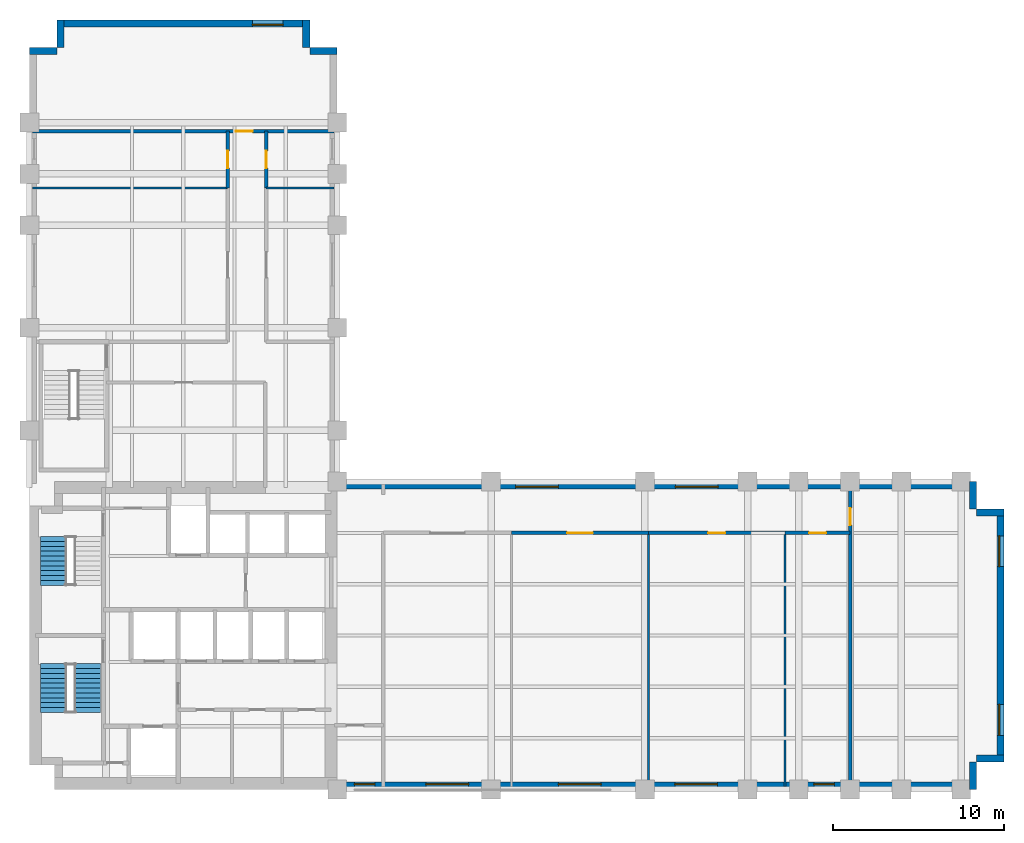
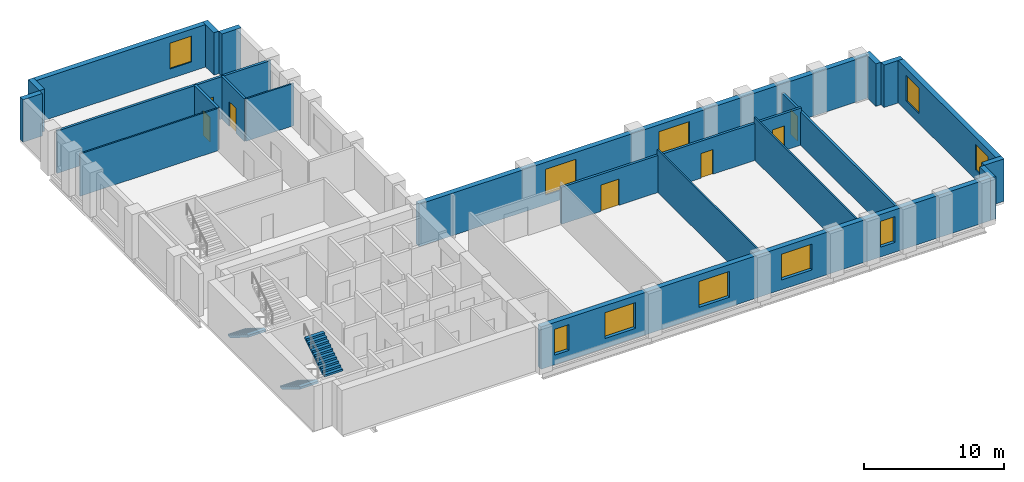
# One storey, part 5 of 7: 23 walls, 10 windows, 7 doors, 3 stair flights, 17 openings, 2 elements without a shape of their own.
"""IFC4 building model written with IfcOpenShell, lengths in metres."""

from ifc_helpers import new_model, si_unit, direction, frame, frame_2d, origin, place, context, subcontext, project, spatial, polyline, rectangle, outline, extrude, material, layer, layer_set, type_object, element, fill, aggregate, save


model = new_model("IFC4")

# Units and contexts
model_context = context("Model", 3, precision=1e-05, world=origin(), true_north=direction((0.0, 1.0)))
body_context = subcontext(model_context, "Body", "Model", "MODEL_VIEW")
ifc_project = project(units=[si_unit("LENGTHUNIT", "METRE"), si_unit("AREAUNIT", "SQUARE_METRE"), si_unit("VOLUMEUNIT", "CUBIC_METRE"), si_unit("PLANEANGLEUNIT", "RADIAN"), si_unit("MASSUNIT", "GRAM", prefix="KILO")], contexts=[model_context])

# Site, building, storey
site_placement = place(None, origin())
site = spatial("IfcSite", under=ifc_project, at=site_placement, CompositionType="ELEMENT")
building_placement = place(site_placement, origin())
building = spatial("IfcBuilding", under=site, at=building_placement, Name="Mawjdan Bourse Tower", CompositionType="ELEMENT")
storey_placement = place(building_placement, frame((0.0, 0.0, 105.0)))
storey = spatial("IfcBuildingStorey", under=building, at=storey_placement, Name="L24", CompositionType="ELEMENT", Elevation=105.0)

# Wall, openings, windows
ifc_material_1 = material(Name="Brick Masonry Buff", Category="masonry")
ifc_layer_1 = layer(ifc_material_1, 0.419921875)
ifc_layer_set_1 = layer_set([ifc_layer_1], Name="Brick Masonry Buff")
wall_type_1 = type_object("IfcWallType", Name="WL-BRK-BUFF-420", PredefinedType="STANDARD", material=ifc_layer_set_1)
wall_1_placement = place(storey_placement, frame((23.89990234375, 3.2099609375, 0.0), z_axis=(0.0, 0.0, 1.0), x_axis=(1.0, 0.0, 0.0)))
wall_1 = element("IfcWall", 1, at=wall_1_placement, inside=storey, type_object=wall_type_1, Name="L24 Exterior Brick Wall 1", PredefinedType="STANDARD", context=body_context, shape_type="SweptSolid", body=[
    extrude(rectangle(XDim=37.5, YDim=0.419921875, at=frame_2d((18.75, 0.0))), origin(), (0.0, 0.0, 1.0), 3.699951171875),
])
opening_1_placement = place(wall_1_placement, frame((19.84375, 0.0, 0.85009765625)))
opening_1 = element("IfcOpeningElement", 2, at=opening_1_placement, cuts=wall_1, Name="Opening W-L24-01", PredefinedType="OPENING", context=body_context, shape_type="SweptSolid", body=[
    extrude(rectangle(XDim=2.5, YDim=2.25, at=frame_2d((1.25, 1.125))), frame((0.0, 0.219970703125, 0.0), z_axis=(0.0, -1.0, 0.0), x_axis=(1.0, 0.0, 0.0)), (0.0, 0.0, 1.0), 0.43994140625),
])
opening_2_placement = place(wall_1_placement, frame((1.10009765625, 0.0, 0.85009765625)))
opening_2 = element("IfcOpeningElement", 3, at=opening_2_placement, cuts=wall_1, Name="Opening W-L24-09", PredefinedType="OPENING", context=body_context, shape_type="SweptSolid", body=[
    extrude(rectangle(XDim=1.199951171875, YDim=2.25, at=frame_2d((0.60009765625, 1.125))), frame((0.0, 0.219970703125, 0.0), z_axis=(0.0, -1.0, 0.0), x_axis=(1.0, 0.0, 0.0)), (0.0, 0.0, 1.0), 0.43994140625),
])
opening_3_placement = place(wall_1_placement, frame((5.2861328125, 0.0, 0.85009765625)))
opening_3 = element("IfcOpeningElement", 4, at=opening_3_placement, cuts=wall_1, Name="Opening W-L24-10", PredefinedType="OPENING", context=body_context, shape_type="SweptSolid", body=[
    extrude(rectangle(XDim=2.5, YDim=2.25, at=frame_2d((1.25, 1.125))), frame((0.0, 0.219970703125, 0.0), z_axis=(0.0, -1.0, 0.0), x_axis=(1.0, 0.0, 0.0)), (0.0, 0.0, 1.0), 0.43994140625),
])
opening_4_placement = place(wall_1_placement, frame((13.0361328125, 0.0, 0.85009765625)))
opening_4 = element("IfcOpeningElement", 5, at=opening_4_placement, cuts=wall_1, Name="Opening W-L24-11", PredefinedType="OPENING", context=body_context, shape_type="SweptSolid", body=[
    extrude(rectangle(XDim=2.5, YDim=2.25, at=frame_2d((1.25, 1.125))), frame((0.0, 0.219970703125, 0.0), z_axis=(0.0, -1.0, 0.0), x_axis=(1.0, 0.0, 0.0)), (0.0, 0.0, 1.0), 0.43994140625),
])
opening_5_placement = place(wall_1_placement, frame((27.986083984375, 0.0, 0.85009765625)))
opening_5 = element("IfcOpeningElement", 6, at=opening_5_placement, cuts=wall_1, Name="Opening W-L24-12", PredefinedType="OPENING", context=body_context, shape_type="SweptSolid", body=[
    extrude(rectangle(XDim=1.199951171875, YDim=2.25, at=frame_2d((0.60009765625, 1.125))), frame((0.0, 0.219970703125, 0.0), z_axis=(0.0, -1.0, 0.0), x_axis=(1.0, 0.0, 0.0)), (0.0, 0.0, 1.0), 0.43994140625),
])
ifc_material_2 = material(Name="Solar-Control Clear Double Glazing", Category="glass")
window_type_1 = type_object("IfcWindowType", Name="WN-Z2-1200", PartitioningType="SINGLE_PANEL", PredefinedType="WINDOW", material=ifc_material_2)
window_1_placement = place(opening_2_placement, origin())
window_1 = element("IfcWindow", 7, at=window_1_placement, inside=storey, type_object=window_type_1, Name="L24 Deep-Set Masonry Window W-L24-09", OverallHeight=2.25, OverallWidth=1.199951171875, PartitioningType="SINGLE_PANEL", PredefinedType="WINDOW", context=body_context, shape_type="SweptSolid", body=[
    extrude(rectangle(XDim=1.199951171875, YDim=2.25, at=frame_2d((0.60009765625, 1.125))), frame((0.0, 0.110107421875, 0.0), z_axis=(0.0, -1.0, 0.0), x_axis=(1.0, 0.0, 0.0)), (0.0, 0.0, 1.0), 0.06005859375),
])
fill(opening_2, window_1)
window_2_placement = place(opening_5_placement, origin())
window_2 = element("IfcWindow", 8, at=window_2_placement, inside=storey, type_object=window_type_1, Name="L24 Deep-Set Masonry Window W-L24-12", OverallHeight=2.25, OverallWidth=1.199951171875, PartitioningType="SINGLE_PANEL", PredefinedType="WINDOW", context=body_context, shape_type="SweptSolid", body=[
    extrude(rectangle(XDim=1.199951171875, YDim=2.25, at=frame_2d((0.60009765625, 1.125))), frame((0.0, 0.110107421875, 0.0), z_axis=(0.0, -1.0, 0.0), x_axis=(1.0, 0.0, 0.0)), (0.0, 0.0, 1.0), 0.06005859375),
])
fill(opening_5, window_2)
window_type_2 = type_object("IfcWindowType", Name="WN-Z2-2500", PartitioningType="SINGLE_PANEL", PredefinedType="WINDOW", material=ifc_material_2)
window_3_placement = place(opening_1_placement, origin())
window_3 = element("IfcWindow", 9, at=window_3_placement, inside=storey, type_object=window_type_2, Name="L24 Deep-Set Masonry Window W-L24-01", OverallHeight=2.25, OverallWidth=2.5, PartitioningType="SINGLE_PANEL", PredefinedType="WINDOW", context=body_context, shape_type="SweptSolid", body=[
    extrude(rectangle(XDim=2.5, YDim=2.25, at=frame_2d((1.25, 1.125))), frame((0.0, 0.110107421875, 0.0), z_axis=(0.0, -1.0, 0.0), x_axis=(1.0, 0.0, 0.0)), (0.0, 0.0, 1.0), 0.06005859375),
])
fill(opening_1, window_3)
window_4_placement = place(opening_3_placement, origin())
window_4 = element("IfcWindow", 10, at=window_4_placement, inside=storey, type_object=window_type_2, Name="L24 Deep-Set Masonry Window W-L24-10", OverallHeight=2.25, OverallWidth=2.5, PartitioningType="SINGLE_PANEL", PredefinedType="WINDOW", context=body_context, shape_type="SweptSolid", body=[
    extrude(rectangle(XDim=2.5, YDim=2.25, at=frame_2d((1.25, 1.125))), frame((0.0, 0.110107421875, 0.0), z_axis=(0.0, -1.0, 0.0), x_axis=(1.0, 0.0, 0.0)), (0.0, 0.0, 1.0), 0.06005859375),
])
fill(opening_3, window_4)
window_5_placement = place(opening_4_placement, origin())
window_5 = element("IfcWindow", 11, at=window_5_placement, inside=storey, type_object=window_type_2, Name="L24 Deep-Set Masonry Window W-L24-11", OverallHeight=2.25, OverallWidth=2.5, PartitioningType="SINGLE_PANEL", PredefinedType="WINDOW", context=body_context, shape_type="SweptSolid", body=[
    extrude(rectangle(XDim=2.5, YDim=2.25, at=frame_2d((1.25, 1.125))), frame((0.0, 0.110107421875, 0.0), z_axis=(0.0, -1.0, 0.0), x_axis=(1.0, 0.0, 0.0)), (0.0, 0.0, 1.0), 0.06005859375),
])
fill(opening_4, window_5)

# Walls
for number, where, z_axis, x_axis, name in (
    (12, (61.18994140625, 3.0, 0.0), (0.0, 0.0, 1.0), (0.0, 1.0, 0.0), "L24 Exterior Brick Wall 2"),
    (13, (61.39990234375, 4.81005859375, 0.0), (0.0, 0.0, 1.0), (1.0, 0.0, 0.0), "L24 Exterior Brick Wall 3"),
):
    element("IfcWall", number, at=place(storey_placement, frame(where, z_axis=z_axis, x_axis=x_axis)), inside=storey, type_object=wall_type_1, Name=name, PredefinedType="STANDARD", context=body_context, shape_type="SweptSolid", body=[
        extrude(rectangle(XDim=1.60009765625, YDim=0.419921875, at=frame_2d((0.800048828125, 0.0))), origin(), (0.0, 0.0, 1.0), 3.699951171875),
    ])

# Wall, openings, windows
wall_2_placement = place(storey_placement, frame((62.7900390625, 4.60009765625, 0.0), z_axis=(0.0, 0.0, 1.0), x_axis=(0.0, 1.0, 0.0)))
wall_2 = element("IfcWall", 14, at=wall_2_placement, inside=storey, type_object=wall_type_1, Name="L24 Exterior Brick Wall 4", PredefinedType="STANDARD", context=body_context, shape_type="SweptSolid", body=[
    extrude(rectangle(XDim=14.7998046875, YDim=0.419921875, at=frame_2d((7.39990234375, 0.0))), origin(), (0.0, 0.0, 1.0), 3.699951171875),
])
opening_6_placement = place(wall_2_placement, frame((1.566650390625, 0.0, 0.85009765625)))
opening_6 = element("IfcOpeningElement", 15, at=opening_6_placement, cuts=wall_2, Name="Opening W-L24-02", PredefinedType="OPENING", context=body_context, shape_type="SweptSolid", body=[
    extrude(rectangle(XDim=1.800048828125, YDim=2.25, at=frame_2d((0.89990234375, 1.125))), frame((0.0, 0.219970703125, 0.0), z_axis=(0.0, -1.0, 0.0), x_axis=(1.0, 0.0, 0.0)), (0.0, 0.0, 1.0), 0.43994140625),
])
opening_7_placement = place(wall_2_placement, frame((11.433349609375, 0.0, 0.85009765625)))
opening_7 = element("IfcOpeningElement", 16, at=opening_7_placement, cuts=wall_2, Name="Opening W-L24-03", PredefinedType="OPENING", context=body_context, shape_type="SweptSolid", body=[
    extrude(rectangle(XDim=1.800048828125, YDim=2.25, at=frame_2d((0.89990234375, 1.125))), frame((0.0, 0.219970703125, 0.0), z_axis=(0.0, -1.0, 0.0), x_axis=(1.0, 0.0, 0.0)), (0.0, 0.0, 1.0), 0.43994140625),
])
window_type_3 = type_object("IfcWindowType", Name="WN-Z2-1800", PartitioningType="SINGLE_PANEL", PredefinedType="WINDOW", material=ifc_material_2)
window_6_placement = place(opening_6_placement, origin())
window_6 = element("IfcWindow", 17, at=window_6_placement, inside=storey, type_object=window_type_3, Name="L24 Deep-Set Masonry Window W-L24-02", OverallHeight=2.25, OverallWidth=1.800048828125, PartitioningType="SINGLE_PANEL", PredefinedType="WINDOW", context=body_context, shape_type="SweptSolid", body=[
    extrude(rectangle(XDim=1.800048828125, YDim=2.25, at=frame_2d((0.89990234375, 1.125))), frame((0.0, 0.110107421875, 0.0), z_axis=(0.0, -1.0, 0.0), x_axis=(1.0, 0.0, 0.0)), (0.0, 0.0, 1.0), 0.06005859375),
])
fill(opening_6, window_6)
window_7_placement = place(opening_7_placement, origin())
window_7 = element("IfcWindow", 18, at=window_7_placement, inside=storey, type_object=window_type_3, Name="L24 Deep-Set Masonry Window W-L24-03", OverallHeight=2.25, OverallWidth=1.800048828125, PartitioningType="SINGLE_PANEL", PredefinedType="WINDOW", context=body_context, shape_type="SweptSolid", body=[
    extrude(rectangle(XDim=1.800048828125, YDim=2.25, at=frame_2d((0.89990234375, 1.125))), frame((0.0, 0.110107421875, 0.0), z_axis=(0.0, -1.0, 0.0), x_axis=(1.0, 0.0, 0.0)), (0.0, 0.0, 1.0), 0.06005859375),
])
fill(opening_7, window_7)

# Walls
for number, where, z_axis, x_axis, name in (
    (19, (63.0, 19.18994140625, 0.0), (0.0, 0.0, 1.0), (-1.0, 0.0, 0.0), "L24 Exterior Brick Wall 5"),
    (20, (61.18994140625, 19.39990234375, 0.0), (0.0, 0.0, 1.0), (0.0, 1.0, 0.0), "L24 Exterior Brick Wall 6"),
):
    element("IfcWall", number, at=place(storey_placement, frame(where, z_axis=z_axis, x_axis=x_axis)), inside=storey, type_object=wall_type_1, Name=name, PredefinedType="STANDARD", context=body_context, shape_type="SweptSolid", body=[
        extrude(rectangle(XDim=1.60009765625, YDim=0.419921875, at=frame_2d((0.800048828125, 0.0))), origin(), (0.0, 0.0, 1.0), 3.699951171875),
    ])

# Wall, openings, windows
wall_3_placement = place(storey_placement, frame((61.39990234375, 20.7900390625, 0.0), z_axis=(0.0, 0.0, 1.0), x_axis=(-1.0, 0.0, 0.0)))
wall_3 = element("IfcWall", 21, at=wall_3_placement, inside=storey, type_object=wall_type_1, Name="L24 Exterior Brick Wall 7", PredefinedType="STANDARD", context=body_context, shape_type="SweptSolid", body=[
    extrude(rectangle(XDim=37.39990234375, YDim=0.419921875, at=frame_2d((18.699951171875, 0.0))), origin(), (0.0, 0.0, 1.0), 3.699951171875),
])
opening_8_placement = place(wall_3_placement, frame((15.112548828125, 0.0, 0.85009765625)))
opening_8 = element("IfcOpeningElement", 22, at=opening_8_placement, cuts=wall_3, Name="Opening W-L24-04", PredefinedType="OPENING", context=body_context, shape_type="SweptSolid", body=[
    extrude(rectangle(XDim=2.5, YDim=2.25, at=frame_2d((1.25, 1.125))), frame((0.0, 0.219970703125, 0.0), z_axis=(0.0, -1.0, 0.0), x_axis=(1.0, 0.0, 0.0)), (0.0, 0.0, 1.0), 0.43994140625),
])
opening_9_placement = place(wall_3_placement, frame((24.46240234375, 0.0, 0.85009765625)))
opening_9 = element("IfcOpeningElement", 23, at=opening_9_placement, cuts=wall_3, Name="Opening W-L24-05", PredefinedType="OPENING", context=body_context, shape_type="SweptSolid", body=[
    extrude(rectangle(XDim=2.5, YDim=2.25, at=frame_2d((1.25, 1.125))), frame((0.0, 0.219970703125, 0.0), z_axis=(0.0, -1.0, 0.0), x_axis=(1.0, 0.0, 0.0)), (0.0, 0.0, 1.0), 0.43994140625),
])
window_8_placement = place(opening_8_placement, origin())
window_8 = element("IfcWindow", 24, at=window_8_placement, inside=storey, type_object=window_type_2, Name="L24 Deep-Set Masonry Window W-L24-04", OverallHeight=2.25, OverallWidth=2.5, PartitioningType="SINGLE_PANEL", PredefinedType="WINDOW", context=body_context, shape_type="SweptSolid", body=[
    extrude(rectangle(XDim=2.5, YDim=2.25, at=frame_2d((1.25, 1.125))), frame((0.0, 0.110107421875, 0.0), z_axis=(0.0, -1.0, 0.0), x_axis=(1.0, 0.0, 0.0)), (0.0, 0.0, 1.0), 0.06005859375),
])
fill(opening_8, window_8)
window_9_placement = place(opening_9_placement, origin())
window_9 = element("IfcWindow", 25, at=window_9_placement, inside=storey, type_object=window_type_2, Name="L24 Deep-Set Masonry Window W-L24-05", OverallHeight=2.25, OverallWidth=2.5, PartitioningType="SINGLE_PANEL", PredefinedType="WINDOW", context=body_context, shape_type="SweptSolid", body=[
    extrude(rectangle(XDim=2.5, YDim=2.25, at=frame_2d((1.25, 1.125))), frame((0.0, 0.110107421875, 0.0), z_axis=(0.0, -1.0, 0.0), x_axis=(1.0, 0.0, 0.0)), (0.0, 0.0, 1.0), 0.06005859375),
])
fill(opening_9, window_9)

# Walls
for number, where, z_axis, x_axis, name in (
    (26, (24.0, 46.18994140625, 0.0), (0.0, 0.0, 1.0), (-1.0, 0.0, 0.0), "L24 Exterior Brick Wall 9"),
    (27, (22.18994140625, 46.39990234375, 0.0), (0.0, 0.0, 1.0), (0.0, 1.0, 0.0), "L24 Exterior Brick Wall 10"),
):
    element("IfcWall", number, at=place(storey_placement, frame(where, z_axis=z_axis, x_axis=x_axis)), inside=storey, type_object=wall_type_1, Name=name, PredefinedType="STANDARD", context=body_context, shape_type="SweptSolid", body=[
        extrude(rectangle(XDim=1.60009765625, YDim=0.419921875, at=frame_2d((0.800048828125, 0.0))), origin(), (0.0, 0.0, 1.0), 3.699951171875),
    ])

# Wall, opening, window
wall_4_placement = place(storey_placement, frame((22.39990234375, 47.7900390625, 0.0), z_axis=(0.0, 0.0, 1.0), x_axis=(-1.0, 0.0, 0.0)))
wall_4 = element("IfcWall", 28, at=wall_4_placement, inside=storey, type_object=wall_type_1, Name="L24 Exterior Brick Wall 11", PredefinedType="STANDARD", context=body_context, shape_type="SweptSolid", body=[
    extrude(rectangle(XDim=14.7998046875, YDim=0.419921875, at=frame_2d((7.39990234375, 0.0))), origin(), (0.0, 0.0, 1.0), 3.699951171875),
])
opening_10_placement = place(wall_4_placement, frame((1.566650390625, 0.0, 0.85009765625)))
opening_10 = element("IfcOpeningElement", 29, at=opening_10_placement, cuts=wall_4, Name="Opening W-L24-07", PredefinedType="OPENING", context=body_context, shape_type="SweptSolid", body=[
    extrude(rectangle(XDim=1.800048828125, YDim=2.25, at=frame_2d((0.89990234375, 1.125))), frame((0.0, 0.219970703125, 0.0), z_axis=(0.0, -1.0, 0.0), x_axis=(1.0, 0.0, 0.0)), (0.0, 0.0, 1.0), 0.43994140625),
])
window_10_placement = place(opening_10_placement, origin())
window_10 = element("IfcWindow", 30, at=window_10_placement, inside=storey, type_object=window_type_3, Name="L24 Deep-Set Masonry Window W-L24-07", OverallHeight=2.25, OverallWidth=1.800048828125, PartitioningType="SINGLE_PANEL", PredefinedType="WINDOW", context=body_context, shape_type="SweptSolid", body=[
    extrude(rectangle(XDim=1.800048828125, YDim=2.25, at=frame_2d((0.89990234375, 1.125))), frame((0.0, 0.110107421875, 0.0), z_axis=(0.0, -1.0, 0.0), x_axis=(1.0, 0.0, 0.0)), (0.0, 0.0, 1.0), 0.06005859375),
])
fill(opening_10, window_10)

# Walls
for number, where, z_axis, x_axis, name in (
    (31, (7.81005859375, 48.0, 0.0), (0.0, 0.0, 1.0), (0.0, -1.0, 0.0), "L24 Exterior Brick Wall 12"),
    (32, (7.60009765625, 46.18994140625, 0.0), (0.0, 0.0, 1.0), (-1.0, 0.0, 0.0), "L24 Exterior Brick Wall 13"),
):
    element("IfcWall", number, at=place(storey_placement, frame(where, z_axis=z_axis, x_axis=x_axis)), inside=storey, type_object=wall_type_1, Name=name, PredefinedType="STANDARD", context=body_context, shape_type="SweptSolid", body=[
        extrude(rectangle(XDim=1.60009765625, YDim=0.419921875, at=frame_2d((0.800048828125, 0.0))), origin(), (0.0, 0.0, 1.0), 3.699951171875),
    ])

# Wall, opening, door
ifc_material_3 = material(Name="Gypsum Fireboard Assembly")
ifc_layer_2 = layer(ifc_material_3, 0.199951171875)
ifc_layer_set_2 = layer_set([ifc_layer_2], Name="Gypsum Fireboard Assembly")
wall_type_2 = type_object("IfcWallType", Name="WL-CMP-200", PredefinedType="PARTITIONING", material=ifc_layer_set_2)
wall_5_placement = place(storey_placement, frame((34.199951171875, 18.0, 0.0), z_axis=(0.0, 0.0, 1.0), x_axis=(1.0, 0.0, 0.0)))
wall_5 = element("IfcWall", 33, at=wall_5_placement, inside=storey, type_object=wall_type_2, Name="L24 Conference Room Corridor Wall", PredefinedType="PARTITIONING", context=body_context, shape_type="SweptSolid", body=[
    extrude(rectangle(XDim=8.0, YDim=0.199951171875, at=frame_2d((4.0, 0.0))), origin(), (0.0, 0.0, 1.0), 3.22705078125),
])
opening_11_placement = place(wall_5_placement, frame((3.25, 0.0, 0.0)))
opening_11 = element("IfcOpeningElement", 34, at=opening_11_placement, cuts=wall_5, Name="Opening D-L24-22", PredefinedType="OPENING", context=body_context, shape_type="SweptSolid", body=[
    extrude(rectangle(XDim=1.5, YDim=2.300048828125, at=frame_2d((0.75, 1.14990234375))), frame((0.0, 0.10986328125, 0.0), z_axis=(0.0, -1.0, 0.0), x_axis=(1.0, 0.0, 0.0)), (0.0, 0.0, 1.0), 0.219970703125),
])
ifc_material_4 = material(Name="Acoustic Glazed Timber", Category="wood")
door_type_1 = type_object("IfcDoorType", Name="DR-CNF-1500", OperationType="DOUBLE_DOOR_SINGLE_SWING", PredefinedType="DOOR", material=ifc_material_4)
door_1_placement = place(opening_11_placement, origin())
door_1 = element("IfcDoor", 35, at=door_1_placement, inside=storey, type_object=door_type_1, Name="L24 Conference Room Door D-L24-22", OperationType="DOUBLE_DOOR_SINGLE_SWING", OverallHeight=2.300048828125, OverallWidth=1.5, PredefinedType="DOOR", context=body_context, shape_type="SweptSolid", body=[
    extrude(rectangle(XDim=1.5, YDim=2.300048828125, at=frame_2d((0.75, 1.14990234375))), frame((0.0, 0.02490234375, 0.0), z_axis=(0.0, -1.0, 0.0), x_axis=(1.0, 0.0, 0.0)), (0.0, 0.0, 1.0), 0.050048828125),
])
fill(opening_11, door_1)

wall_6_placement = place(storey_placement, frame((42.199951171875, 18.0, 0.0), z_axis=(0.0, 0.0, 1.0), x_axis=(1.0, 0.0, 0.0)))
wall_6 = element("IfcWall", 36, at=wall_6_placement, inside=storey, type_object=wall_type_2, Name="L24 Executive Office Corridor Wall", PredefinedType="PARTITIONING", context=body_context, shape_type="SweptSolid", body=[
    extrude(rectangle(XDim=8.0, YDim=0.199951171875, at=frame_2d((4.0, 0.0))), origin(), (0.0, 0.0, 1.0), 3.22705078125),
])
opening_12_placement = place(wall_6_placement, frame((3.5, 0.0, 0.0)))
opening_12 = element("IfcOpeningElement", 37, at=opening_12_placement, cuts=wall_6, Name="Opening D-L24-23", PredefinedType="OPENING", context=body_context, shape_type="SweptSolid", body=[
    extrude(rectangle(XDim=1.0, YDim=2.14990234375, at=frame_2d((0.5, 1.074951171875))), frame((0.0, 0.10986328125, 0.0), z_axis=(0.0, -1.0, 0.0), x_axis=(1.0, 0.0, 0.0)), (0.0, 0.0, 1.0), 0.219970703125),
])
ifc_material_5 = material(Name="Hardwood Acoustic Leaf", Category="wood")
door_type_2 = type_object("IfcDoorType", Name="DR-OFC-1000", OperationType="NOTDEFINED", PredefinedType="DOOR", material=ifc_material_5)
door_2_placement = place(opening_12_placement, origin())
door_2 = element("IfcDoor", 38, at=door_2_placement, inside=storey, type_object=door_type_2, Name="L24 Executive Office Door D-L24-23", OperationType="SINGLE_SWING_RIGHT", OverallHeight=2.14990234375, OverallWidth=1.0, PredefinedType="DOOR", context=body_context, shape_type="SweptSolid", body=[
    extrude(rectangle(XDim=1.0, YDim=2.14990234375, at=frame_2d((0.5, 1.074951171875))), frame((0.0, 0.02490234375, 0.0), z_axis=(0.0, -1.0, 0.0), x_axis=(1.0, 0.0, 0.0)), (0.0, 0.0, 1.0), 0.050048828125),
])
fill(opening_12, door_2)

wall_7_placement = place(storey_placement, frame((50.199951171875, 18.0, 0.0), z_axis=(0.0, 0.0, 1.0), x_axis=(1.0, 0.0, 0.0)))
wall_7 = element("IfcWall", 39, at=wall_7_placement, inside=storey, type_object=wall_type_2, Name="L24 Private Banking Suite Corridor Wall", PredefinedType="PARTITIONING", context=body_context, shape_type="SweptSolid", body=[
    extrude(rectangle(XDim=3.800048828125, YDim=0.199951171875, at=frame_2d((1.89990234375, 0.0))), origin(), (0.0, 0.0, 1.0), 3.22705078125),
])
opening_13_placement = place(wall_7_placement, frame((1.39990234375, 0.0, 0.0)))
opening_13 = element("IfcOpeningElement", 40, at=opening_13_placement, cuts=wall_7, Name="Opening D-L24-24", PredefinedType="OPENING", context=body_context, shape_type="SweptSolid", body=[
    extrude(rectangle(XDim=1.0, YDim=2.14990234375, at=frame_2d((0.5, 1.074951171875))), frame((0.0, 0.10986328125, 0.0), z_axis=(0.0, -1.0, 0.0), x_axis=(1.0, 0.0, 0.0)), (0.0, 0.0, 1.0), 0.219970703125),
])
door_3_placement = place(opening_13_placement, origin())
door_3 = element("IfcDoor", 41, at=door_3_placement, inside=storey, type_object=door_type_2, Name="L24 Private Banking Suite Door D-L24-24", OperationType="SINGLE_SWING_LEFT", OverallHeight=2.14990234375, OverallWidth=1.0, PredefinedType="DOOR", context=body_context, shape_type="SweptSolid", body=[
    extrude(rectangle(XDim=1.0, YDim=2.14990234375, at=frame_2d((0.5, 1.074951171875))), frame((0.0, 0.02490234375, 0.0), z_axis=(0.0, -1.0, 0.0), x_axis=(1.0, 0.0, 0.0)), (0.0, 0.0, 1.0), 0.050048828125),
])
fill(opening_13, door_3)

wall_8_placement = place(storey_placement, frame((54.0, 3.179931640625, 0.0), z_axis=(0.0, 0.0, 1.0), x_axis=(0.0, 1.0, 0.0)))
wall_8 = element("IfcWall", 42, at=wall_8_placement, inside=storey, type_object=wall_type_2, Name="L24 East Tip Full Cross Wall", PredefinedType="PARTITIONING", context=body_context, shape_type="SweptSolid", body=[
    extrude(rectangle(XDim=17.64013671875, YDim=0.199951171875, at=frame_2d((8.820068359375, 0.0))), origin(), (0.0, 0.0, 1.0), 2.9169921875),
])
opening_14_placement = place(wall_8_placement, frame((15.27490234375, 0.0, 0.0)))
opening_14 = element("IfcOpeningElement", 43, at=opening_14_placement, cuts=wall_8, Name="Opening D-L24-25", PredefinedType="OPENING", context=body_context, shape_type="SweptSolid", body=[
    extrude(rectangle(XDim=1.0, YDim=2.14990234375, at=frame_2d((0.5, 1.074951171875))), frame((0.0, 0.10986328125, 0.0), z_axis=(0.0, -1.0, 0.0), x_axis=(1.0, 0.0, 0.0)), (0.0, 0.0, 1.0), 0.219970703125),
])
door_4_placement = place(opening_14_placement, origin())
door_4 = element("IfcDoor", 44, at=door_4_placement, inside=storey, type_object=door_type_2, Name="L24 East Tip Hall Door D-L24-25", OperationType="SINGLE_SWING_RIGHT", OverallHeight=2.14990234375, OverallWidth=1.0, PredefinedType="DOOR", context=body_context, shape_type="SweptSolid", body=[
    extrude(rectangle(XDim=1.0, YDim=2.14990234375, at=frame_2d((0.5, 1.074951171875))), frame((0.0, 0.02490234375, 0.0), z_axis=(0.0, -1.0, 0.0), x_axis=(1.0, 0.0, 0.0)), (0.0, 0.0, 1.0), 0.050048828125),
])
fill(opening_14, door_4)

wall_9_placement = place(storey_placement, frame((17.60009765625, 38.179931640625, 0.0), z_axis=(0.0, 0.0, 1.0), x_axis=(0.0, 1.0, 0.0)))
wall_9 = element("IfcWall", 45, at=wall_9_placement, inside=storey, type_object=wall_type_2, Name="L24 Executive Office Corridor Wall", PredefinedType="PARTITIONING", context=body_context, shape_type="SweptSolid", body=[
    extrude(rectangle(XDim=3.320068359375, YDim=0.199951171875, at=frame_2d((1.66015625, 0.0))), origin(), (0.0, 0.0, 1.0), 3.68994140625),
])
opening_15_placement = place(wall_9_placement, frame((1.159912109375, 0.0, 0.0)))
opening_15 = element("IfcOpeningElement", 46, at=opening_15_placement, cuts=wall_9, Name="Opening D-L24-28", PredefinedType="OPENING", context=body_context, shape_type="SweptSolid", body=[
    extrude(rectangle(XDim=1.0, YDim=2.14990234375, at=frame_2d((0.5, 1.074951171875))), frame((0.0, 0.10986328125, 0.0), z_axis=(0.0, -1.0, 0.0), x_axis=(1.0, 0.0, 0.0)), (0.0, 0.0, 1.0), 0.219970703125),
])
door_5_placement = place(opening_15_placement, origin())
door_5 = element("IfcDoor", 47, at=door_5_placement, inside=storey, type_object=door_type_2, Name="L24 Executive Office Door D-L24-28", OperationType="SINGLE_SWING_RIGHT", OverallHeight=2.14990234375, OverallWidth=1.0, PredefinedType="DOOR", context=body_context, shape_type="SweptSolid", body=[
    extrude(rectangle(XDim=1.0, YDim=2.14990234375, at=frame_2d((0.5, 1.074951171875))), frame((0.0, 0.02490234375, 0.0), z_axis=(0.0, -1.0, 0.0), x_axis=(1.0, 0.0, 0.0)), (0.0, 0.0, 1.0), 0.050048828125),
])
fill(opening_15, door_5)

wall_10_placement = place(storey_placement, frame((19.85009765625, 38.179931640625, 0.0), z_axis=(0.0, 0.0, 1.0), x_axis=(0.0, 1.0, 0.0)))
wall_10 = element("IfcWall", 48, at=wall_10_placement, inside=storey, type_object=wall_type_2, Name="L24 Client Reception Corridor Wall", PredefinedType="PARTITIONING", context=body_context, shape_type="SweptSolid", body=[
    extrude(rectangle(XDim=3.320068359375, YDim=0.199951171875, at=frame_2d((1.66015625, 0.0))), origin(), (0.0, 0.0, 1.0), 3.68994140625),
])
opening_16_placement = place(wall_10_placement, frame((1.159912109375, 0.0, 0.0)))
opening_16 = element("IfcOpeningElement", 49, at=opening_16_placement, cuts=wall_10, Name="Opening D-L24-30", PredefinedType="OPENING", context=body_context, shape_type="SweptSolid", body=[
    extrude(rectangle(XDim=1.0, YDim=2.14990234375, at=frame_2d((0.5, 1.074951171875))), frame((0.0, 0.10986328125, 0.0), z_axis=(0.0, -1.0, 0.0), x_axis=(1.0, 0.0, 0.0)), (0.0, 0.0, 1.0), 0.219970703125),
])
door_6_placement = place(opening_16_placement, origin())
door_6 = element("IfcDoor", 50, at=door_6_placement, inside=storey, type_object=door_type_2, Name="L24 Client Reception Door D-L24-30", OperationType="SINGLE_SWING_LEFT", OverallHeight=2.14990234375, OverallWidth=1.0, PredefinedType="DOOR", context=body_context, shape_type="SweptSolid", body=[
    extrude(rectangle(XDim=1.0, YDim=2.14990234375, at=frame_2d((0.5, 1.074951171875))), frame((0.0, 0.02490234375, 0.0), z_axis=(0.0, -1.0, 0.0), x_axis=(1.0, 0.0, 0.0)), (0.0, 0.0, 1.0), 0.050048828125),
])
fill(opening_16, door_6)

wall_11_placement = place(storey_placement, frame((6.179931640625, 41.5, 0.0), z_axis=(0.0, 0.0, 1.0), x_axis=(1.0, 0.0, 0.0)))
wall_11 = element("IfcWall", 51, at=wall_11_placement, inside=storey, type_object=wall_type_2, Name="L24 North Tip Full Cross Wall", PredefinedType="PARTITIONING", context=body_context, shape_type="SweptSolid", body=[
    extrude(rectangle(XDim=17.64013671875, YDim=0.199951171875, at=frame_2d((8.820068359375, 0.0))), origin(), (0.0, 0.0, 1.0), 3.68994140625),
])
opening_17_placement = place(wall_11_placement, frame((11.875, 0.0, 0.0)))
opening_17 = element("IfcOpeningElement", 52, at=opening_17_placement, cuts=wall_11, Name="Opening D-L24-31", PredefinedType="OPENING", context=body_context, shape_type="SweptSolid", body=[
    extrude(rectangle(XDim=1.0, YDim=2.14990234375, at=frame_2d((0.5, 1.074951171875))), frame((0.0, 0.10986328125, 0.0), z_axis=(0.0, -1.0, 0.0), x_axis=(1.0, 0.0, 0.0)), (0.0, 0.0, 1.0), 0.219970703125),
])
door_7_placement = place(opening_17_placement, origin())
door_7 = element("IfcDoor", 53, at=door_7_placement, inside=storey, type_object=door_type_2, Name="L24 North Tip Suite Door D-L24-31", OperationType="SINGLE_SWING_RIGHT", OverallHeight=2.14990234375, OverallWidth=1.0, PredefinedType="DOOR", context=body_context, shape_type="SweptSolid", body=[
    extrude(rectangle(XDim=1.0, YDim=2.14990234375, at=frame_2d((0.5, 1.074951171875))), frame((0.0, 0.02490234375, 0.0), z_axis=(0.0, -1.0, 0.0), x_axis=(1.0, 0.0, 0.0)), (0.0, 0.0, 1.0), 0.050048828125),
])
fill(opening_17, door_7)

# Walls
ifc_material_6 = material(Name="Gypsum Partition")
ifc_layer_3 = layer(ifc_material_6, 0.125)
ifc_layer_set_3 = layer_set([ifc_layer_3], Name="Gypsum Partition")
wall_type_3 = type_object("IfcWallType", Name="WL-PRT-125", PredefinedType="PARTITIONING", material=ifc_layer_set_3)
for number, where, z_axis, x_axis, name in (
    (54, (42.199951171875, 3.179931640625, 0.0), (0.0, 0.0, 1.0), (0.0, 1.0, 0.0), "L24 Executive Office Partition"),
    (55, (50.199951171875, 3.179931640625, 0.0), (0.0, 0.0, 1.0), (0.0, 1.0, 0.0), "L24 Private Banking Suite Partition"),
):
    element("IfcWall", number, at=place(storey_placement, frame(where, z_axis=z_axis, x_axis=x_axis)), inside=storey, type_object=wall_type_3, Name=name, PredefinedType="PARTITIONING", context=body_context, shape_type="SweptSolid", body=[
        extrude(rectangle(XDim=14.820068359375, YDim=0.125, at=frame_2d((7.41015625, 0.0))), origin(), (0.0, 0.0, 1.0), 3.68994140625),
    ])
wall_12_placement = place(storey_placement, frame((6.179931640625, 38.179931640625, 0.0), z_axis=(0.0, 0.0, 1.0), x_axis=(1.0, 0.0, 0.0)))
element("IfcWall", 56, at=wall_12_placement, inside=storey, type_object=wall_type_3, Name="L24 Executive Office Partition", PredefinedType="PARTITIONING", context=body_context, shape_type="SweptSolid", body=[
    extrude(rectangle(XDim=11.420166015625, YDim=0.125, at=frame_2d((5.7099609375, 0.0))), origin(), (0.0, 0.0, 1.0), 3.68994140625),
])
wall_13_placement = place(storey_placement, frame((19.85009765625, 38.179931640625, 0.0), z_axis=(0.0, 0.0, 1.0), x_axis=(1.0, 0.0, 0.0)))
element("IfcWall", 57, at=wall_13_placement, inside=storey, type_object=wall_type_3, Name="L24 Client Reception Partition", PredefinedType="PARTITIONING", context=body_context, shape_type="SweptSolid", body=[
    extrude(rectangle(XDim=3.969970703125, YDim=0.125, at=frame_2d((1.98486328125, 0.0))), origin(), (0.0, 0.0, 1.0), 3.68994140625),
])

# Stair, stair flights
ifc_material_7 = material(Name="Concrete C50/60", Category="concrete")
stair_type = type_object("IfcStairType", Name="STR-CORE-1500", PredefinedType="HALF_TURN_STAIR", material=ifc_material_7)
stair_1_placement = place(storey_placement, origin())
stair_1 = element("IfcStair", 58, at=stair_1_placement, inside=storey, type_object=stair_type, Name="L24 Exit Stair 1 (Core South-West)", PredefinedType="HALF_TURN_STAIR")
stair_flight_type = type_object("IfcStairFlightType", Name="SFL-RC-1500", PredefinedType="STRAIGHT", material=ifc_material_7)
stair_flight_1_placement = place(storey_placement, frame((7.389892578125, 10.35009765625, 0.0), z_axis=(0.0, 0.0, 1.0), x_axis=(0.0, -1.0, 0.0)))
stair_flight_1 = element("IfcStairFlight", 59, at=stair_flight_1_placement, type_object=stair_flight_type, Name="ST1-L24 flight 1", NumberOfRisers=11, NumberOfTreads=10, PredefinedType="STRAIGHT", RiserHeight=0.177273, TreadLength=0.285, context=body_context, shape_type="SweptSolid", body=[
    extrude(outline(polyline([(0.0, 0.0), (0.0, 0.17724609375), (0.284912109375, 0.17724609375), (0.284912109375, 0.3544921875), (0.570068359375, 0.3544921875), (0.570068359375, 0.53173828125), (0.85498046875, 0.53173828125), (0.85498046875, 0.708984375), (1.139892578125, 0.708984375), (1.139892578125, 0.886474609375), (1.425048828125, 0.886474609375), (1.425048828125, 1.063720703125), (1.7099609375, 1.063720703125), (1.7099609375, 1.240966796875), (1.9951171875, 1.240966796875), (1.9951171875, 1.418212890625), (2.280029296875, 1.418212890625), (2.280029296875, 1.595458984375), (2.56494140625, 1.595458984375), (2.56494140625, 1.772705078125), (2.85009765625, 1.772705078125), (2.85009765625, 1.949951171875), (2.85009765625, 1.58447265625), (0.302734375, 0.0), (0.0, 0.0)])), frame((0.0, 0.75, 0.0), z_axis=(0.0, -1.0, 0.0), x_axis=(1.0, 0.0, 0.0)), (0.0, 0.0, 1.0), 1.5),
])
stair_flight_2_placement = place(storey_placement, frame((9.409912109375, 7.5, 1.949951171875), z_axis=(0.0, 0.0, 1.0), x_axis=(0.0, 1.0, 0.0)))
stair_flight_2 = element("IfcStairFlight", 60, at=stair_flight_2_placement, type_object=stair_flight_type, Name="ST1-L24 flight 2", NumberOfRisers=11, NumberOfTreads=10, PredefinedType="STRAIGHT", RiserHeight=0.177273, TreadLength=0.285, context=body_context, shape_type="SweptSolid", body=[
    extrude(outline(polyline([(0.0, 0.0), (0.0, 0.17724609375), (0.284912109375, 0.17724609375), (0.284912109375, 0.3544921875), (0.570068359375, 0.3544921875), (0.570068359375, 0.53173828125), (0.85498046875, 0.53173828125), (0.85498046875, 0.708984375), (1.139892578125, 0.708984375), (1.139892578125, 0.886474609375), (1.425048828125, 0.886474609375), (1.425048828125, 1.063720703125), (1.7099609375, 1.063720703125), (1.7099609375, 1.240966796875), (1.9951171875, 1.240966796875), (1.9951171875, 1.418212890625), (2.280029296875, 1.418212890625), (2.280029296875, 1.595458984375), (2.56494140625, 1.595458984375), (2.56494140625, 1.772705078125), (2.85009765625, 1.772705078125), (2.85009765625, 1.949951171875), (2.85009765625, 1.58447265625), (0.302734375, 0.0), (0.0, 0.0)])), frame((0.0, 0.75, 0.0), z_axis=(0.0, -1.0, 0.0), x_axis=(1.0, 0.0, 0.0)), (0.0, 0.0, 1.0), 1.5),
])
aggregate(stair_1, [stair_flight_1, stair_flight_2])

# Stair, stair flight
stair_2_placement = place(storey_placement, origin())
stair_2 = element("IfcStair", 61, at=stair_2_placement, inside=storey, type_object=stair_type, Name="L24 Exit Stair 2 (Core North-West)", PredefinedType="HALF_TURN_STAIR")
stair_flight_3_placement = place(storey_placement, frame((7.389892578125, 17.7900390625, 0.0), z_axis=(0.0, 0.0, 1.0), x_axis=(0.0, -1.0, 0.0)))
stair_flight_3 = element("IfcStairFlight", 62, at=stair_flight_3_placement, type_object=stair_flight_type, Name="ST2-L24 flight 1", NumberOfRisers=11, NumberOfTreads=10, PredefinedType="STRAIGHT", RiserHeight=0.177273, TreadLength=0.285, context=body_context, shape_type="SweptSolid", body=[
    extrude(outline(polyline([(0.0, 0.0), (0.0, 0.17724609375), (0.284912109375, 0.17724609375), (0.284912109375, 0.3544921875), (0.570068359375, 0.3544921875), (0.570068359375, 0.53173828125), (0.85498046875, 0.53173828125), (0.85498046875, 0.708984375), (1.139892578125, 0.708984375), (1.139892578125, 0.886474609375), (1.425048828125, 0.886474609375), (1.425048828125, 1.063720703125), (1.7099609375, 1.063720703125), (1.7099609375, 1.240966796875), (1.9951171875, 1.240966796875), (1.9951171875, 1.418212890625), (2.280029296875, 1.418212890625), (2.280029296875, 1.595458984375), (2.56494140625, 1.595458984375), (2.56494140625, 1.772705078125), (2.85009765625, 1.772705078125), (2.85009765625, 1.949951171875), (2.85009765625, 1.58447265625), (0.302734375, 0.0), (0.0, 0.0)])), frame((0.0, 0.75, 0.0), z_axis=(0.0, -1.0, 0.0), x_axis=(1.0, 0.0, 0.0)), (0.0, 0.0, 1.0), 1.5),
])
aggregate(stair_2, [stair_flight_3])

save(model, "model.ifc")
